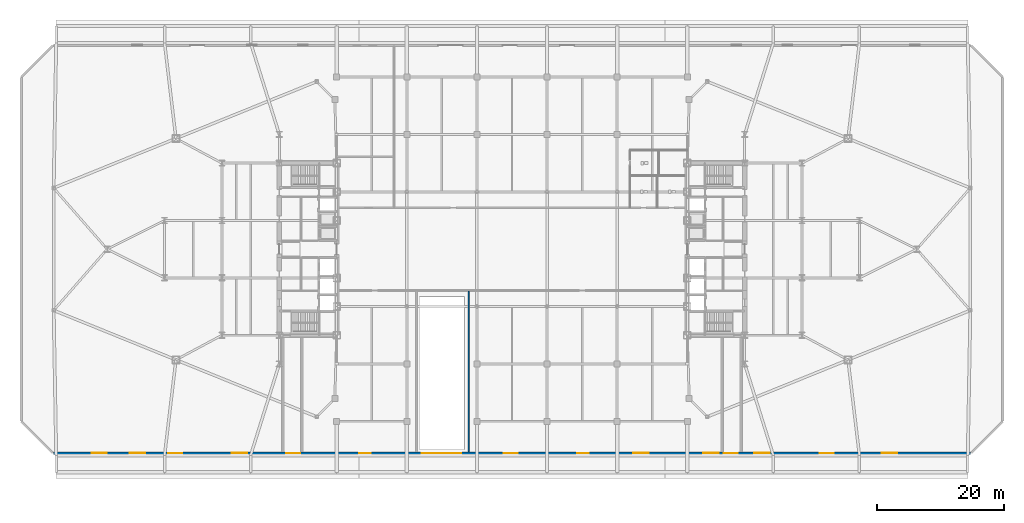
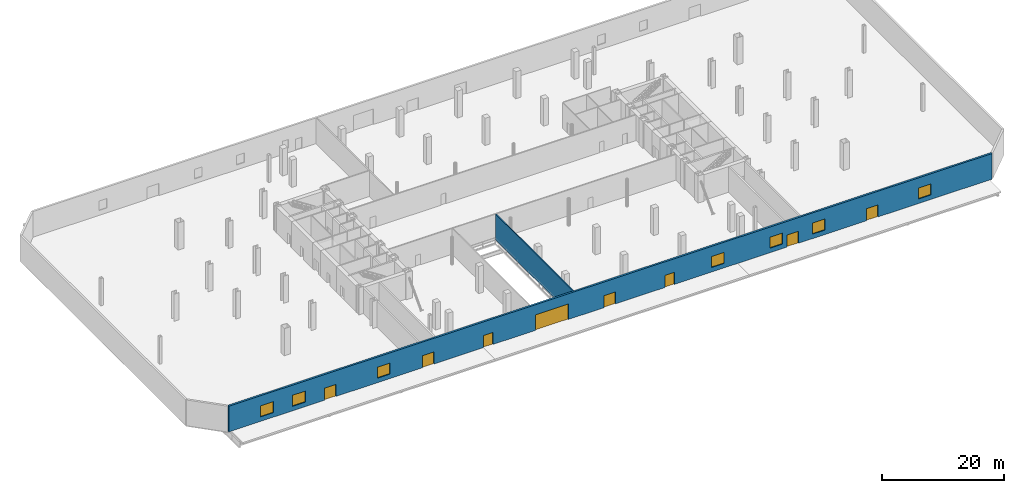
# One storey, part 12 of 21: 8 doors, 7 windows, 2 walls, 15 openings.
"""IFC4 building model written with IfcOpenShell, lengths in metres."""

from ifc_helpers import new_model, si_unit, direction, frame, frame_2d, origin, place, context, subcontext, project, spatial, rectangle, extrude, source, transform, mapped, material, layer, layer_set, type_object, type_shapes, element, fill, save


model = new_model("IFC4")

# Units and contexts
model_context = context("Model", 3, precision=1e-05, world=origin(), true_north=direction((0.0, 1.0)))
body_context = subcontext(model_context, "Body", "Model", "MODEL_VIEW")
ifc_project = project(units=[si_unit("LENGTHUNIT", "METRE"), si_unit("AREAUNIT", "SQUARE_METRE"), si_unit("VOLUMEUNIT", "CUBIC_METRE"), si_unit("PLANEANGLEUNIT", "RADIAN"), si_unit("MASSUNIT", "GRAM", prefix="KILO")], contexts=[model_context])

# Site, building, storey
site_placement = place(None, origin())
site = spatial("IfcSite", under=ifc_project, at=site_placement, CompositionType="ELEMENT")
building_placement = place(site_placement, origin())
building = spatial("IfcBuilding", under=site, at=building_placement, Name="Seokmaru Belvedere", CompositionType="ELEMENT")
storey_placement = place(building_placement, origin())
storey = spatial("IfcBuildingStorey", under=building, at=storey_placement, Name="L00", CompositionType="ELEMENT", Elevation=0.0)

# Wall
ifc_material_1 = material(Name="Fire-Rated Gypsum Shaftwall")
ifc_layer_1 = layer(ifc_material_1, 0.199951171875)
ifc_layer_set_1 = layer_set([ifc_layer_1], Name="Fire-Rated Gypsum Shaftwall")
wall_type_1 = type_object("IfcWallType", Name="Inter-Tenancy Fire Compartment Partition 200", PredefinedType="PARTITIONING", material=ifc_layer_set_1)
wall_1_placement = place(storey_placement, frame((-6.800048828125, -31.800048828125, 0.0), z_axis=(0.0, 0.0, 1.0), x_axis=(0.0, 1.0, 0.0)))
element("IfcWall", 1, at=wall_1_placement, inside=storey, type_object=wall_type_1, Name="L00 Interior Partition 010", PredefinedType="PARTITIONING", context=body_context, shape_type="SweptSolid", body=[
    extrude(rectangle(XDim=25.215087890625, YDim=0.199951171875, at=frame_2d((12.607421875, 0.0))), origin(), (0.0, 0.0, 1.0), 5.1201171875),
])

# Wall, openings, doors, windows
ifc_material_2 = material(Name="Concrete C40 (40 MPa)", Category="concrete")
ifc_layer_2 = layer(ifc_material_2, 0.360107421875)
ifc_layer_set_2 = layer_set([ifc_layer_2], Name="Concrete C40 (40 MPa)")
wall_type_2 = type_object("IfcWallType", Name="Podium Board-Formed Concrete Wall 360", PredefinedType="SOLIDWALL", material=ifc_layer_set_2)
wall_2_placement = place(storey_placement, frame((-71.9599609375, -32.0, 0.0), z_axis=(0.0, 0.0, 1.0), x_axis=(1.0, 0.0, 0.0)))
wall_2 = element("IfcWall", 2, at=wall_2_placement, inside=storey, type_object=wall_type_2, Name="L00 Exterior Podium Wall 01", PredefinedType="SOLIDWALL", context=body_context, shape_type="SweptSolid", body=[
    extrude(rectangle(XDim=143.919921875, YDim=0.360107421875, at=frame_2d((71.9599609375, 0.0))), origin(), (0.0, 0.0, 1.0), 5.1201171875),
])
opening_1_placement = place(wall_2_placement, frame((18.0, 0.0, 0.0)))
opening_1 = element("IfcOpeningElement", 3, at=opening_1_placement, cuts=wall_2, Name="Opening DX1", PredefinedType="OPENING", context=body_context, shape_type="SweptSolid", body=[
    extrude(rectangle(XDim=2.199951171875, YDim=2.39990234375, at=frame_2d((1.10009765625, 1.199951171875))), frame((0.0, 0.18994140625, 0.0), z_axis=(0.0, -1.0, 0.0), x_axis=(1.0, 0.0, 0.0)), (0.0, 0.0, 1.0), 0.380126953125),
])
opening_2_placement = place(wall_2_placement, frame((48.0, 0.0, 0.0)))
opening_2 = element("IfcOpeningElement", 4, at=opening_2_placement, cuts=wall_2, Name="Opening DX2", PredefinedType="OPENING", context=body_context, shape_type="SweptSolid", body=[
    extrude(rectangle(XDim=1.800048828125, YDim=2.39990234375, at=frame_2d((0.89990234375, 1.199951171875))), frame((0.0, 0.18994140625, 0.0), z_axis=(0.0, -1.0, 0.0), x_axis=(1.0, 0.0, 0.0)), (0.0, 0.0, 1.0), 0.380126953125),
])
opening_3_placement = place(wall_2_placement, frame((57.800048828125, 0.0, 0.0)))
opening_3 = element("IfcOpeningElement", 5, at=opening_3_placement, cuts=wall_2, Name="Opening VD01", PredefinedType="OPENING", context=body_context, shape_type="SweptSolid", body=[
    extrude(rectangle(XDim=6.199951171875, YDim=3.10009765625, at=frame_2d((3.10009765625, 1.550048828125))), frame((0.0, 0.18994140625, 0.0), z_axis=(0.0, -1.0, 0.0), x_axis=(1.0, 0.0, 0.0)), (0.0, 0.0, 1.0), 0.380126953125),
])
opening_4_placement = place(wall_2_placement, frame((70.699951171875, 0.0, 0.0)))
opening_4 = element("IfcOpeningElement", 6, at=opening_4_placement, cuts=wall_2, Name="Opening DX1", PredefinedType="OPENING", context=body_context, shape_type="SweptSolid", body=[
    extrude(rectangle(XDim=2.199951171875, YDim=2.39990234375, at=frame_2d((1.10009765625, 1.199951171875))), frame((0.0, 0.18994140625, 0.0), z_axis=(0.0, -1.0, 0.0), x_axis=(1.0, 0.0, 0.0)), (0.0, 0.0, 1.0), 0.380126953125),
])
opening_5_placement = place(wall_2_placement, frame((82.199951171875, 0.0, 0.0)))
opening_5 = element("IfcOpeningElement", 7, at=opening_5_placement, cuts=wall_2, Name="Opening DX2", PredefinedType="OPENING", context=body_context, shape_type="SweptSolid", body=[
    extrude(rectangle(XDim=1.800048828125, YDim=2.39990234375, at=frame_2d((0.89990234375, 1.199951171875))), frame((0.0, 0.18994140625, 0.0), z_axis=(0.0, -1.0, 0.0), x_axis=(1.0, 0.0, 0.0)), (0.0, 0.0, 1.0), 0.380126953125),
])
opening_6_placement = place(wall_2_placement, frame((120.199951171875, 0.0, 0.0)))
opening_6 = element("IfcOpeningElement", 8, at=opening_6_placement, cuts=wall_2, Name="Opening DX1", PredefinedType="OPENING", context=body_context, shape_type="SweptSolid", body=[
    extrude(rectangle(XDim=2.199951171875, YDim=2.39990234375, at=frame_2d((1.10009765625, 1.199951171875))), frame((0.0, 0.18994140625, 0.0), z_axis=(0.0, -1.0, 0.0), x_axis=(1.0, 0.0, 0.0)), (0.0, 0.0, 1.0), 0.380126953125),
])
opening_7_placement = place(wall_2_placement, frame((36.510009765625, 0.0, 0.0)))
opening_7 = element("IfcOpeningElement", 9, at=opening_7_placement, cuts=wall_2, Name="Opening DX1", PredefinedType="OPENING", context=body_context, shape_type="SweptSolid", body=[
    extrude(rectangle(XDim=2.199951171875, YDim=2.39990234375, at=frame_2d((1.10009765625, 1.199951171875))), frame((0.0, 0.18994140625, 0.0), z_axis=(0.0, -1.0, 0.0), x_axis=(1.0, 0.0, 0.0)), (0.0, 0.0, 1.0), 0.380126953125),
])
opening_8_placement = place(wall_2_placement, frame((105.2099609375, 0.0, 0.0)))
opening_8 = element("IfcOpeningElement", 10, at=opening_8_placement, cuts=wall_2, Name="Opening DX1", PredefinedType="OPENING", context=body_context, shape_type="SweptSolid", body=[
    extrude(rectangle(XDim=2.199951171875, YDim=2.39990234375, at=frame_2d((1.10009765625, 1.199951171875))), frame((0.0, 0.18994140625, 0.0), z_axis=(0.0, -1.0, 0.0), x_axis=(1.0, 0.0, 0.0)), (0.0, 0.0, 1.0), 0.380126953125),
])
opening_9_placement = place(wall_2_placement, frame((6.0, 0.0, 0.89990234375)))
opening_9 = element("IfcOpeningElement", 11, at=opening_9_placement, cuts=wall_2, Name="Opening WN1", PredefinedType="OPENING", context=body_context, shape_type="SweptSolid", body=[
    extrude(rectangle(XDim=2.39990234375, YDim=2.199951171875, at=frame_2d((1.199951171875, 1.10009765625))), frame((0.0, 0.18994140625, 0.0), z_axis=(0.0, -1.0, 0.0), x_axis=(1.0, 0.0, 0.0)), (0.0, 0.0, 1.0), 0.380126953125),
])
opening_10_placement = place(wall_2_placement, frame((12.0, 0.0, 0.89990234375)))
opening_10 = element("IfcOpeningElement", 12, at=opening_10_placement, cuts=wall_2, Name="Opening WN1", PredefinedType="OPENING", context=body_context, shape_type="SweptSolid", body=[
    extrude(rectangle(XDim=2.39990234375, YDim=2.199951171875, at=frame_2d((1.199951171875, 1.10009765625))), frame((0.0, 0.18994140625, 0.0), z_axis=(0.0, -1.0, 0.0), x_axis=(1.0, 0.0, 0.0)), (0.0, 0.0, 1.0), 0.380126953125),
])
opening_11_placement = place(wall_2_placement, frame((28.0, 0.0, 0.89990234375)))
opening_11 = element("IfcOpeningElement", 13, at=opening_11_placement, cuts=wall_2, Name="Opening WN1", PredefinedType="OPENING", context=body_context, shape_type="SweptSolid", body=[
    extrude(rectangle(XDim=2.39990234375, YDim=2.199951171875, at=frame_2d((1.199951171875, 1.10009765625))), frame((0.0, 0.18994140625, 0.0), z_axis=(0.0, -1.0, 0.0), x_axis=(1.0, 0.0, 0.0)), (0.0, 0.0, 1.0), 0.380126953125),
])
opening_12_placement = place(wall_2_placement, frame((91.0, 0.0, 0.89990234375)))
opening_12 = element("IfcOpeningElement", 14, at=opening_12_placement, cuts=wall_2, Name="Opening WN1", PredefinedType="OPENING", context=body_context, shape_type="SweptSolid", body=[
    extrude(rectangle(XDim=2.39990234375, YDim=2.199951171875, at=frame_2d((1.199951171875, 1.10009765625))), frame((0.0, 0.18994140625, 0.0), z_axis=(0.0, -1.0, 0.0), x_axis=(1.0, 0.0, 0.0)), (0.0, 0.0, 1.0), 0.380126953125),
])
opening_13_placement = place(wall_2_placement, frame((102.0, 0.0, 0.89990234375)))
opening_13 = element("IfcOpeningElement", 15, at=opening_13_placement, cuts=wall_2, Name="Opening WN1", PredefinedType="OPENING", context=body_context, shape_type="SweptSolid", body=[
    extrude(rectangle(XDim=2.39990234375, YDim=2.199951171875, at=frame_2d((1.199951171875, 1.10009765625))), frame((0.0, 0.18994140625, 0.0), z_axis=(0.0, -1.0, 0.0), x_axis=(1.0, 0.0, 0.0)), (0.0, 0.0, 1.0), 0.380126953125),
])
opening_14_placement = place(wall_2_placement, frame((110.0, 0.0, 0.89990234375)))
opening_14 = element("IfcOpeningElement", 16, at=opening_14_placement, cuts=wall_2, Name="Opening WN1", PredefinedType="OPENING", context=body_context, shape_type="SweptSolid", body=[
    extrude(rectangle(XDim=2.39990234375, YDim=2.199951171875, at=frame_2d((1.199951171875, 1.10009765625))), frame((0.0, 0.18994140625, 0.0), z_axis=(0.0, -1.0, 0.0), x_axis=(1.0, 0.0, 0.0)), (0.0, 0.0, 1.0), 0.380126953125),
])
opening_15_placement = place(wall_2_placement, frame((130.0, 0.0, 0.89990234375)))
opening_15 = element("IfcOpeningElement", 17, at=opening_15_placement, cuts=wall_2, Name="Opening WN1", PredefinedType="OPENING", context=body_context, shape_type="SweptSolid", body=[
    extrude(rectangle(XDim=2.39990234375, YDim=2.199951171875, at=frame_2d((1.199951171875, 1.10009765625))), frame((0.0, 0.18994140625, 0.0), z_axis=(0.0, -1.0, 0.0), x_axis=(1.0, 0.0, 0.0)), (0.0, 0.0, 1.0), 0.380126953125),
])
ifc_material_3 = material(Name="Anodised Bronze Aluminium", Category="aluminium")
door_type_1 = type_object("IfcDoorType", Name="Grand Concourse Double Exit Door 2200x2400", OperationType="DOUBLE_SWING_LEFT", PredefinedType="DOOR", material=ifc_material_3)
shared_shape_1 = source(origin(), body_context, "Body", "SweptSolid", [
    extrude(rectangle(XDim=2.199951171875, YDim=2.39990234375, at=frame_2d((1.10009765625, 1.199951171875))), frame((0.0, 0.02490234375, 0.0), z_axis=(0.0, -1.0, 0.0), x_axis=(1.0, 0.0, 0.0)), (0.0, 0.0, 1.0), 0.050048828125),
])
type_shapes(door_type_1, [shared_shape_1])
door_1_placement = place(opening_1_placement, frame((2.199951171875, 0.0, 0.0), z_axis=(0.0, 0.0, 1.0), x_axis=(-1.0, 0.0, 0.0)))
door_1 = element("IfcDoor", 18, at=door_1_placement, inside=storey, type_object=door_type_1, Name="L00 West Lobby Exit Door", OperationType="DOUBLE_SWING_LEFT", OverallHeight=2.39990234375, OverallWidth=2.199951171875, PredefinedType="DOOR", context=body_context, shape_type="MappedRepresentation", body=[
    mapped(shared_shape_1, transform((0.0, 0.0, 0.0), scale=1.0)),
])
fill(opening_1, door_1)
door_2_placement = place(opening_4_placement, frame((2.199951171875, 0.0, 0.0), z_axis=(0.0, 0.0, 1.0), x_axis=(-1.0, 0.0, 0.0)))
door_2 = element("IfcDoor", 19, at=door_2_placement, inside=storey, type_object=door_type_1, Name="L00 Concourse South Exit Door", OperationType="DOUBLE_SWING_LEFT", OverallHeight=2.39990234375, OverallWidth=2.199951171875, PredefinedType="DOOR", context=body_context, shape_type="MappedRepresentation", body=[
    mapped(shared_shape_1, transform((0.0, 0.0, 0.0), scale=1.0)),
])
fill(opening_4, door_2)
door_3_placement = place(opening_6_placement, frame((2.199951171875, 0.0, 0.0), z_axis=(0.0, 0.0, 1.0), x_axis=(-1.0, 0.0, 0.0)))
door_3 = element("IfcDoor", 20, at=door_3_placement, inside=storey, type_object=door_type_1, Name="L00 East Lobby Exit Door", OperationType="DOUBLE_SWING_LEFT", OverallHeight=2.39990234375, OverallWidth=2.199951171875, PredefinedType="DOOR", context=body_context, shape_type="MappedRepresentation", body=[
    mapped(shared_shape_1, transform((0.0, 0.0, 0.0), scale=1.0)),
])
fill(opening_6, door_3)
door_4_placement = place(opening_7_placement, frame((2.199951171875, 0.0, 0.0), z_axis=(0.0, 0.0, 1.0), x_axis=(-1.0, 0.0, 0.0)))
door_4 = element("IfcDoor", 21, at=door_4_placement, inside=storey, type_object=door_type_1, Name="L00 West Exit Passage Door", OperationType="DOUBLE_SWING_LEFT", OverallHeight=2.39990234375, OverallWidth=2.199951171875, PredefinedType="DOOR", context=body_context, shape_type="MappedRepresentation", body=[
    mapped(shared_shape_1, transform((0.0, 0.0, 0.0), scale=1.0)),
])
fill(opening_7, door_4)
door_5_placement = place(opening_8_placement, frame((2.199951171875, 0.0, 0.0), z_axis=(0.0, 0.0, 1.0), x_axis=(-1.0, 0.0, 0.0)))
door_5 = element("IfcDoor", 22, at=door_5_placement, inside=storey, type_object=door_type_1, Name="L00 East Exit Passage Door", OperationType="DOUBLE_SWING_LEFT", OverallHeight=2.39990234375, OverallWidth=2.199951171875, PredefinedType="DOOR", context=body_context, shape_type="MappedRepresentation", body=[
    mapped(shared_shape_1, transform((0.0, 0.0, 0.0), scale=1.0)),
])
fill(opening_8, door_5)
door_type_2 = type_object("IfcDoorType", Name="Retail Street Entrance Double Door 1800x2400", OperationType="DOUBLE_SWING_LEFT", PredefinedType="DOOR", material=ifc_material_3)
shared_shape_2 = source(origin(), body_context, "Body", "SweptSolid", [
    extrude(rectangle(XDim=1.800048828125, YDim=2.39990234375, at=frame_2d((0.89990234375, 1.199951171875))), frame((0.0, 0.02490234375, 0.0), z_axis=(0.0, -1.0, 0.0), x_axis=(1.0, 0.0, 0.0)), (0.0, 0.0, 1.0), 0.050048828125),
])
type_shapes(door_type_2, [shared_shape_2])
door_6_placement = place(opening_2_placement, frame((1.800048828125, 0.0, 0.0), z_axis=(0.0, 0.0, 1.0), x_axis=(-1.0, 0.0, 0.0)))
door_6 = element("IfcDoor", 23, at=door_6_placement, inside=storey, type_object=door_type_2, Name="L00 Retail Boutique Street Door", OperationType="DOUBLE_SWING_LEFT", OverallHeight=2.39990234375, OverallWidth=1.800048828125, PredefinedType="DOOR", context=body_context, shape_type="MappedRepresentation", body=[
    mapped(shared_shape_2, transform((0.0, 0.0, 0.0), scale=1.0)),
])
fill(opening_2, door_6)
door_7_placement = place(opening_5_placement, frame((1.800048828125, 0.0, 0.0), z_axis=(0.0, 0.0, 1.0), x_axis=(-1.0, 0.0, 0.0)))
door_7 = element("IfcDoor", 24, at=door_7_placement, inside=storey, type_object=door_type_2, Name="L00 Bakery Cafe Street Door", OperationType="DOUBLE_SWING_LEFT", OverallHeight=2.39990234375, OverallWidth=1.800048828125, PredefinedType="DOOR", context=body_context, shape_type="MappedRepresentation", body=[
    mapped(shared_shape_2, transform((0.0, 0.0, 0.0), scale=1.0)),
])
fill(opening_5, door_7)
ifc_material_4 = material(Name="Fire-Rated Steel Leaf", Category="steel")
door_type_3 = type_object("IfcDoorType", Name="Car Park Ramp Insulated Roller Shutter Gate 6200x3100", OperationType="ROLLINGUP", PredefinedType="GATE", material=ifc_material_4)
shared_shape_3 = source(origin(), body_context, "Body", "SweptSolid", [
    extrude(rectangle(XDim=6.199951171875, YDim=3.10009765625, at=frame_2d((3.10009765625, 1.550048828125))), frame((0.0, 0.02490234375, 0.0), z_axis=(0.0, -1.0, 0.0), x_axis=(1.0, 0.0, 0.0)), (0.0, 0.0, 1.0), 0.050048828125),
])
type_shapes(door_type_3, [shared_shape_3])
door_8_placement = place(opening_3_placement, frame((6.199951171875, 0.0, 0.0), z_axis=(0.0, 0.0, 1.0), x_axis=(-1.0, 0.0, 0.0)))
door_8 = element("IfcDoor", 25, at=door_8_placement, inside=storey, type_object=door_type_3, Name="L00 Car Park Vehicle Ramp Gate VD-01", OperationType="ROLLINGUP", OverallHeight=3.10009765625, OverallWidth=6.199951171875, PredefinedType="GATE", context=body_context, shape_type="MappedRepresentation", body=[
    mapped(shared_shape_3, transform((0.0, 0.0, 0.0), scale=1.0)),
])
fill(opening_3, door_8)
ifc_material_5 = material(Name="Bronze Triple Insulating Glass", Category="glass")
window_type = type_object("IfcWindowType", Name="Podium Concourse Triple-Glazed Window 2400x2200", PartitioningType="SINGLE_PANEL", PredefinedType="WINDOW", material=ifc_material_5)
shared_shape_4 = source(origin(), body_context, "Body", "SweptSolid", [
    extrude(rectangle(XDim=2.39990234375, YDim=2.199951171875, at=frame_2d((1.199951171875, 1.10009765625))), frame((0.0, 0.030029296875, 0.0), z_axis=(0.0, -1.0, 0.0), x_axis=(1.0, 0.0, 0.0)), (0.0, 0.0, 1.0), 0.06005859375),
])
type_shapes(window_type, [shared_shape_4])
window_1_placement = place(opening_9_placement, origin())
window_1 = element("IfcWindow", 26, at=window_1_placement, inside=storey, type_object=window_type, Name="L00 South Podium Window 01", OverallHeight=2.199951171875, OverallWidth=2.39990234375, PartitioningType="SINGLE_PANEL", PredefinedType="WINDOW", context=body_context, shape_type="MappedRepresentation", body=[
    mapped(shared_shape_4, transform((0.0, 0.0, 0.0), scale=1.0)),
])
fill(opening_9, window_1)
window_2_placement = place(opening_10_placement, origin())
window_2 = element("IfcWindow", 27, at=window_2_placement, inside=storey, type_object=window_type, Name="L00 South Podium Window 02", OverallHeight=2.199951171875, OverallWidth=2.39990234375, PartitioningType="SINGLE_PANEL", PredefinedType="WINDOW", context=body_context, shape_type="MappedRepresentation", body=[
    mapped(shared_shape_4, transform((0.0, 0.0, 0.0), scale=1.0)),
])
fill(opening_10, window_2)
window_3_placement = place(opening_11_placement, origin())
window_3 = element("IfcWindow", 28, at=window_3_placement, inside=storey, type_object=window_type, Name="L00 South Podium Window 03", OverallHeight=2.199951171875, OverallWidth=2.39990234375, PartitioningType="SINGLE_PANEL", PredefinedType="WINDOW", context=body_context, shape_type="MappedRepresentation", body=[
    mapped(shared_shape_4, transform((0.0, 0.0, 0.0), scale=1.0)),
])
fill(opening_11, window_3)
window_4_placement = place(opening_12_placement, origin())
window_4 = element("IfcWindow", 29, at=window_4_placement, inside=storey, type_object=window_type, Name="L00 South Podium Window 05", OverallHeight=2.199951171875, OverallWidth=2.39990234375, PartitioningType="SINGLE_PANEL", PredefinedType="WINDOW", context=body_context, shape_type="MappedRepresentation", body=[
    mapped(shared_shape_4, transform((0.0, 0.0, 0.0), scale=1.0)),
])
fill(opening_12, window_4)
window_5_placement = place(opening_13_placement, origin())
window_5 = element("IfcWindow", 30, at=window_5_placement, inside=storey, type_object=window_type, Name="L00 South Podium Window 06", OverallHeight=2.199951171875, OverallWidth=2.39990234375, PartitioningType="SINGLE_PANEL", PredefinedType="WINDOW", context=body_context, shape_type="MappedRepresentation", body=[
    mapped(shared_shape_4, transform((0.0, 0.0, 0.0), scale=1.0)),
])
fill(opening_13, window_5)
window_6_placement = place(opening_14_placement, origin())
window_6 = element("IfcWindow", 31, at=window_6_placement, inside=storey, type_object=window_type, Name="L00 South Podium Window 07", OverallHeight=2.199951171875, OverallWidth=2.39990234375, PartitioningType="SINGLE_PANEL", PredefinedType="WINDOW", context=body_context, shape_type="MappedRepresentation", body=[
    mapped(shared_shape_4, transform((0.0, 0.0, 0.0), scale=1.0)),
])
fill(opening_14, window_6)
window_7_placement = place(opening_15_placement, origin())
window_7 = element("IfcWindow", 32, at=window_7_placement, inside=storey, type_object=window_type, Name="L00 South Podium Window 08", OverallHeight=2.199951171875, OverallWidth=2.39990234375, PartitioningType="SINGLE_PANEL", PredefinedType="WINDOW", context=body_context, shape_type="MappedRepresentation", body=[
    mapped(shared_shape_4, transform((0.0, 0.0, 0.0), scale=1.0)),
])
fill(opening_15, window_7)

save(model, "model.ifc")
